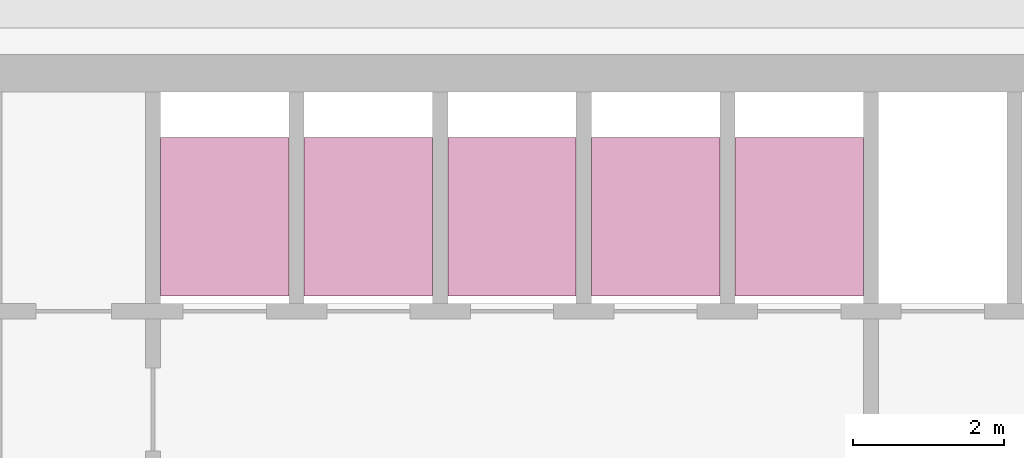
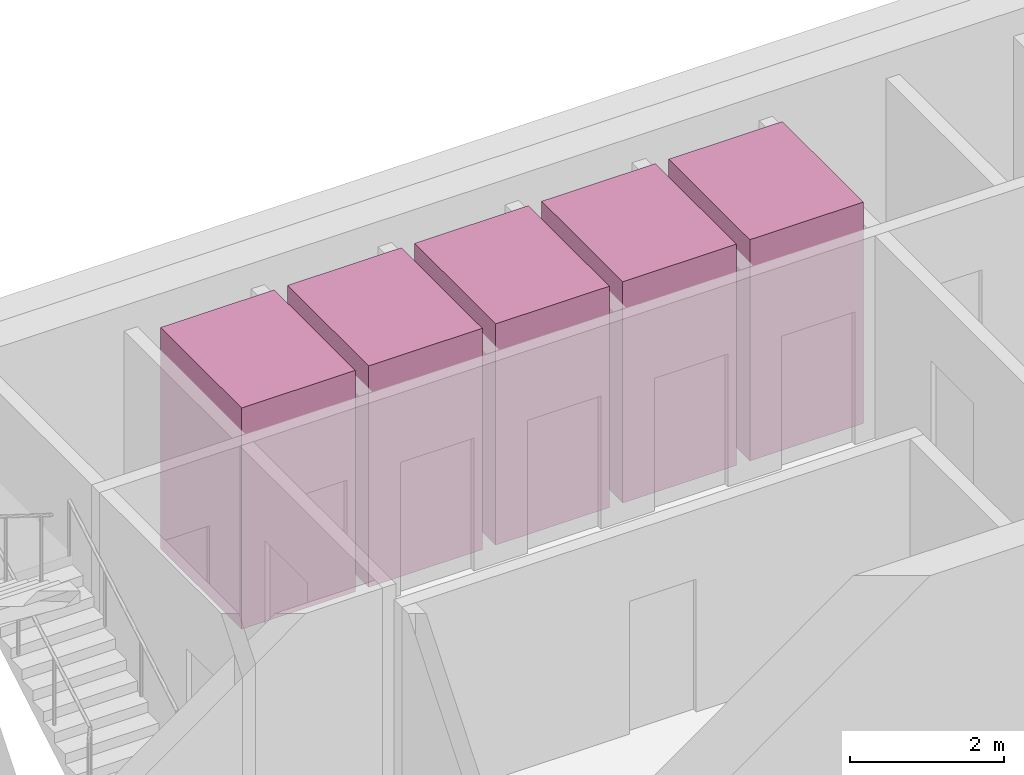
# One storey, part 9 of 9: 5 transport elements.
"""IFC4 building model written with IfcOpenShell, lengths in metres."""

from ifc_helpers import new_model, si_unit, direction, frame, origin, origin_2d, place, context, subcontext, project, spatial, rectangle, extrude, material, type_object, element, save


model = new_model("IFC4")

# Units and contexts
model_context = context("Model", 3, precision=1e-05, world=origin(), true_north=direction((0.0, 1.0)))
body_context = subcontext(model_context, "Body", "Model", "MODEL_VIEW")
ifc_project = project(units=[si_unit("LENGTHUNIT", "METRE"), si_unit("AREAUNIT", "SQUARE_METRE"), si_unit("VOLUMEUNIT", "CUBIC_METRE"), si_unit("PLANEANGLEUNIT", "RADIAN"), si_unit("MASSUNIT", "GRAM", prefix="KILO")], contexts=[model_context])

# Site, building, storey
site_placement = place(None, origin())
site = spatial("IfcSite", under=ifc_project, at=site_placement, CompositionType="ELEMENT")
building_placement = place(site_placement, origin())
building = spatial("IfcBuilding", under=site, at=building_placement, Name="Altiplano Prism Tower", CompositionType="ELEMENT")
storey_placement = place(building_placement, frame((0.0, 0.0, 305.800048828125)))
storey = spatial("IfcBuildingStorey", under=building, at=storey_placement, Name="L79", CompositionType="ELEMENT", Elevation=305.800048828125)

# Transport elements
ifc_material = material(Name="Stainless steel lift car", Category="steel")
transport_element_type = type_object("IfcTransportElementType", Name="Passenger lift car 1600 x 2100", PredefinedType="ELEVATOR", material=ifc_material)
for number, where, z_axis, x_axis, name in (
    (1, (79.050048828125, 101.75, 0.050048828125), (0.0, 0.0, 1.0), (1.0, 0.0, 0.0), "High Zone Passenger Lift 1"),
    (2, (80.949951171875, 101.75, 0.050048828125), (0.0, 0.0, 1.0), (1.0, 0.0, 0.0), "High Zone Passenger Lift 2"),
    (3, (82.85009765625, 101.75, 0.050048828125), (0.0, 0.0, 1.0), (1.0, 0.0, 0.0), "High Zone Passenger Lift 3"),
    (4, (84.75, 101.75, 0.050048828125), (0.0, 0.0, 1.0), (1.0, 0.0, 0.0), "High Zone Passenger Lift 4"),
    (5, (86.64990234375, 101.75, 0.050048828125), (0.0, 0.0, 1.0), (1.0, 0.0, 0.0), "High Zone Passenger Lift 5"),
):
    element("IfcTransportElement", number, at=place(storey_placement, frame(where, z_axis=z_axis, x_axis=x_axis)), inside=storey, type_object=transport_element_type, Name=name, PredefinedType="ELEVATOR", context=body_context, shape_type="SweptSolid", body=[
        extrude(rectangle(XDim=1.699951171875, YDim=2.10009765625, at=origin_2d()), origin(), (0.0, 0.0, 1.0), 3.5),
    ])

save(model, "model.ifc")
